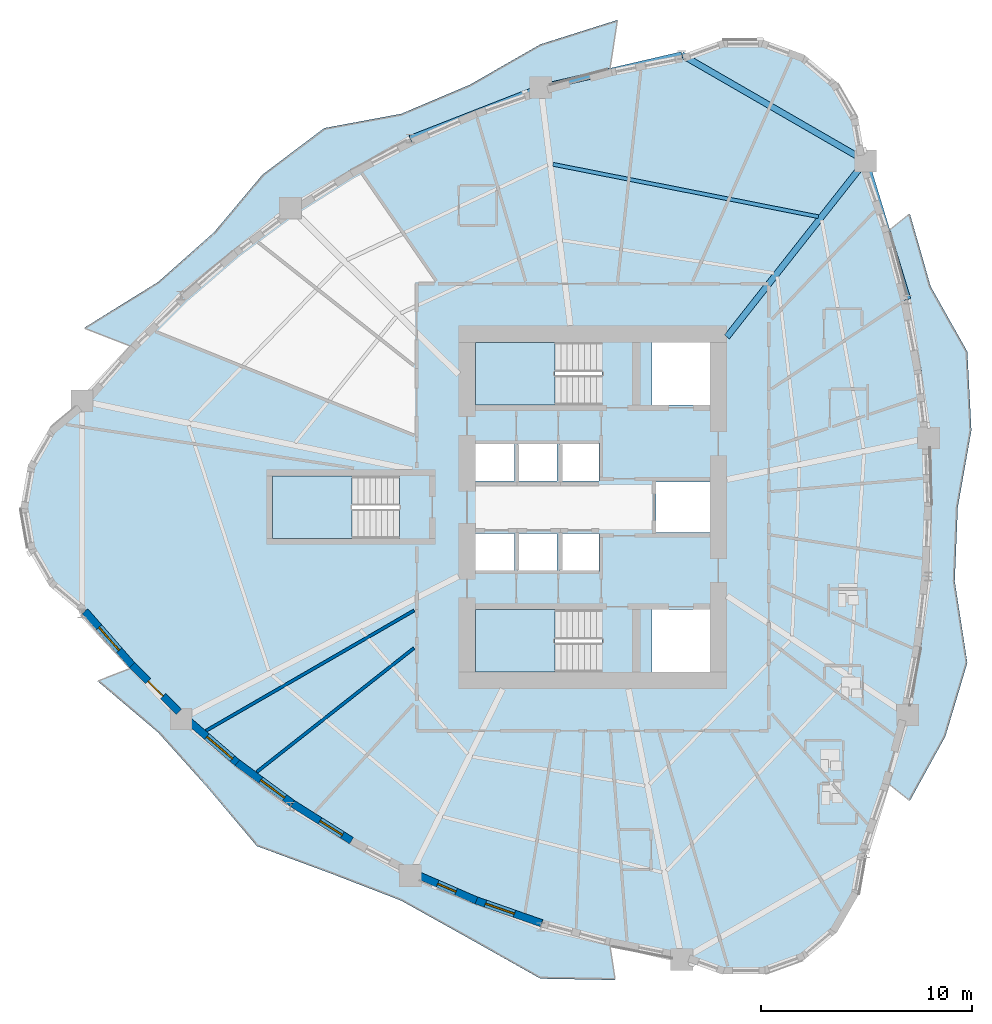
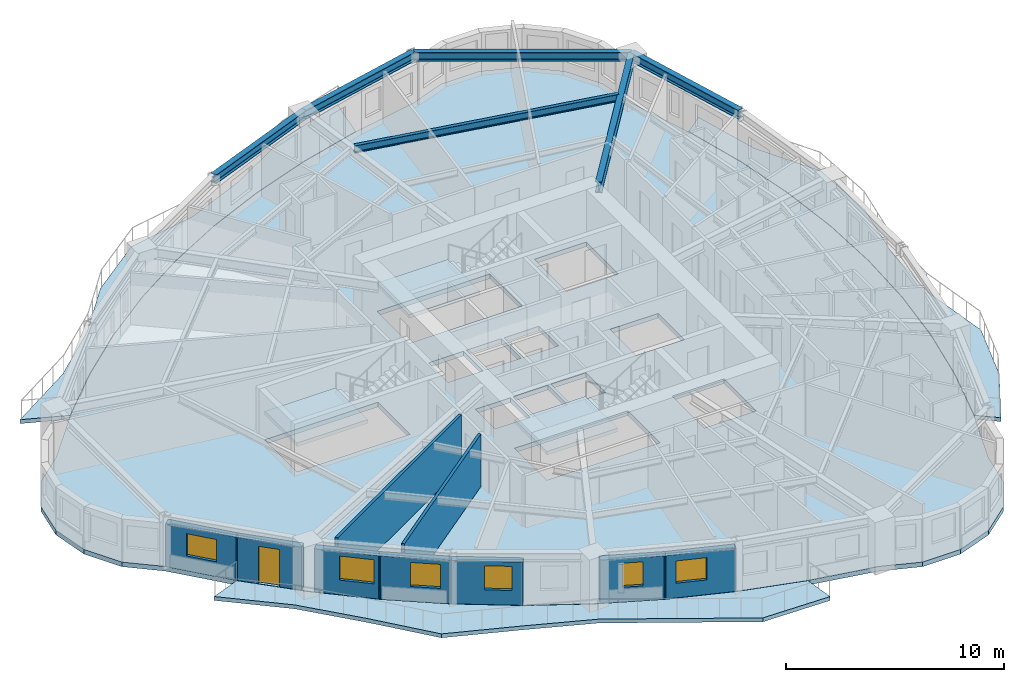
# One storey, part 2 of 13: 9 walls, 7 slabs, 6 beams, 6 windows, 1 door, 7 openings, 3 elements without a shape of their own.
"""IFC4 building model written with IfcOpenShell, lengths in metres."""

import ifcopenshell
import ifcopenshell.guid

model = None  # the IFC model being written
_history = None  # IfcOwnerHistory: only IFC2X3 demands one
_inside = {}  # id of a spatial element -> (the spatial element, [elements in it])
_under = {}  # id of a project, library or spatial element -> (it, [spatial elements below it])
_declared = {}  # id of a project -> (the project, [libraries it declares])
_typed = {}  # id of a type object -> (the type object, [elements of that type])
_made_of = {}  # id of a material, layer set ... -> (it, [elements and type objects made of it])


def new_model(schema):
    """Start an empty IFC model of exactly this schema.

    Asked for "IFC4X3", IfcOpenShell would pick the latest addendum, in which some entities
    have other attributes; the version numbers below select the first issue.
    IFC2X3 requires an IfcOwnerHistory on every rooted entity: one is made here for all.
    """
    global model, _history
    if schema == "IFC4X3":
        model = ifcopenshell.file(schema_version=(4, 3, 0, 0))
    else:
        model = ifcopenshell.file(schema=schema)
    _inside.clear()
    _under.clear()
    _declared.clear()
    _typed.clear()
    _made_of.clear()
    _history = None
    if model.schema == "IFC2X3":
        org = make("IfcOrganization", Name="unknown")
        user = make(
            "IfcPersonAndOrganization",
            ThePerson=make("IfcPerson", FamilyName="unknown"),
            TheOrganization=org,
        )
        app = make(
            "IfcApplication",
            ApplicationDeveloper=org,
            Version="unknown",
            ApplicationFullName="unknown",
            ApplicationIdentifier="unknown",
        )
        _history = make(
            "IfcOwnerHistory",
            OwningUser=user,
            OwningApplication=app,
            ChangeAction="ADDED",
            CreationDate=0,
        )
    return model


def make(cls, **values):
    """One entity of the class cls with the attributes given. An attribute that is None is left unset."""
    return model.create_entity(
        cls, **{name: value for name, value in values.items() if value is not None}
    )


def rooted(cls, **values):
    """An entity with a GlobalId (a new one), such as an element, a storey or a relation."""
    return make(cls, GlobalId=ifcopenshell.guid.new(), OwnerHistory=_history, **values)


def si_unit(unit_type, name, prefix=None):
    """IfcSIUnit, for example si_unit("LENGTHUNIT", "METRE", prefix="MILLI")."""
    return make("IfcSIUnit", UnitType=unit_type, Prefix=prefix, Name=name)


def assignment(units):
    """IfcUnitAssignment: the units of a project."""
    return None if units is None else make("IfcUnitAssignment", Units=units)


def point(xyz):
    """IfcCartesianPoint."""
    return None if xyz is None else make("IfcCartesianPoint", Coordinates=xyz)


def direction(xyz):
    """IfcDirection."""
    return None if xyz is None else make("IfcDirection", DirectionRatios=xyz)


def frame(location, z_axis=None, x_axis=None):
    """IfcAxis2Placement3D, a coordinate frame: its origin and axes. An axis left out is left unset."""
    return make(
        "IfcAxis2Placement3D",
        Location=point(location),
        Axis=direction(z_axis),
        RefDirection=direction(x_axis),
    )


def frame_2d(location, x_axis=None):
    """IfcAxis2Placement2D, a coordinate frame in the plane: its origin and x axis."""
    return make(
        "IfcAxis2Placement2D", Location=point(location), RefDirection=direction(x_axis)
    )


def origin():
    """The frame at (0, 0, 0) with its axes left unset."""
    return frame((0.0, 0.0, 0.0))


def origin_2d():
    """The frame at (0, 0) in the plane with its x axis left unset."""
    return frame_2d((0.0, 0.0))


def place(relative_to, where):
    """IfcLocalPlacement: puts the frame where relative to a parent placement (None: the world)."""
    return make(
        "IfcLocalPlacement", PlacementRelTo=relative_to, RelativePlacement=where
    )


def context(
    kind, dimensions, precision=None, world=None, true_north=None, identifier=None
):
    """IfcGeometricRepresentationContext, for example the 3D "Model" context."""
    return make(
        "IfcGeometricRepresentationContext",
        ContextIdentifier=identifier,
        ContextType=kind,
        CoordinateSpaceDimension=dimensions,
        Precision=precision,
        WorldCoordinateSystem=world,
        TrueNorth=true_north,
    )


def subcontext(parent, identifier, kind, view, scale=None):
    """IfcGeometricRepresentationSubContext, for example "Body" below "Model"."""
    return make(
        "IfcGeometricRepresentationSubContext",
        ContextIdentifier=identifier,
        ContextType=kind,
        ParentContext=parent,
        TargetScale=scale,
        TargetView=view,
    )


def project(units=None, contexts=None):
    """IfcProject with its units and contexts."""
    return rooted(
        "IfcProject",
        Name="project",
        RepresentationContexts=contexts,
        UnitsInContext=assignment(units),
    )


def spatial(cls, under=None, at=None, **own):
    """A site, building, storey or space (cls), placed at a placement, below another one or the project."""
    s = rooted(cls, ObjectPlacement=at, **own)
    if under is not None:
        _under.setdefault(under.id(), (under, []))[1].append(s)
    return s


def polyline(points):
    """IfcPolyline through the points."""
    return make("IfcPolyline", Points=[point(p) for p in points])


def profile(cls, at=None, kind="AREA", **sizes):
    """A parametric profile (cls). Its sizes go by their IFC names, for example OverallWidth=200.0."""
    return make(cls, ProfileType=kind, Position=at, **sizes)


def rectangle(**sizes):
    """IfcRectangleProfileDef."""
    return profile("IfcRectangleProfileDef", **sizes)


def i_section(**sizes):
    """IfcIShapeProfileDef."""
    return profile("IfcIShapeProfileDef", **sizes)


def outline(outer, holes=None, kind="AREA"):
    """IfcArbitraryClosedProfileDef: a profile drawn as a closed curve; with holes, ...WithVoids."""
    if holes is None:
        return make("IfcArbitraryClosedProfileDef", ProfileType=kind, OuterCurve=outer)
    return make(
        "IfcArbitraryProfileDefWithVoids",
        ProfileType=kind,
        OuterCurve=outer,
        InnerCurves=holes,
    )


def extrude(swept, where, along, depth):
    """IfcExtrudedAreaSolid: the profile swept, set in the frame where, extruded along a direction by depth."""
    return make(
        "IfcExtrudedAreaSolid",
        SweptArea=swept,
        Position=where,
        ExtrudedDirection=direction(along),
        Depth=depth,
    )


def shape(context_of_items, identifier, shape_type, items):
    """IfcShapeRepresentation: the items that make up one representation, for example the "Body"."""
    return make(
        "IfcShapeRepresentation",
        ContextOfItems=context_of_items,
        RepresentationIdentifier=identifier,
        RepresentationType=shape_type,
        Items=items,
    )


def source(mapping_origin, context_of_items, identifier, shape_type, items):
    """IfcRepresentationMap: a shape defined once, which mapped items show again and again."""
    return make(
        "IfcRepresentationMap",
        MappingOrigin=mapping_origin,
        MappedRepresentation=shape(context_of_items, identifier, shape_type, items),
    )


def transform(
    local_origin,
    x_axis=None,
    y_axis=None,
    z_axis=None,
    scale=None,
    scale2=None,
    scale3=None,
    uniform=True,
):
    """IfcCartesianTransformationOperator3D, or its non-uniform kind. x_axis, y_axis, z_axis: its Axis1, 2, 3."""
    if uniform:
        return make(
            "IfcCartesianTransformationOperator3D",
            Axis1=direction(x_axis),
            Axis2=direction(y_axis),
            LocalOrigin=point(local_origin),
            Scale=scale,
            Axis3=direction(z_axis),
        )
    return make(
        "IfcCartesianTransformationOperator3DnonUniform",
        Axis1=direction(x_axis),
        Axis2=direction(y_axis),
        LocalOrigin=point(local_origin),
        Scale=scale,
        Axis3=direction(z_axis),
        Scale2=scale2,
        Scale3=scale3,
    )


def mapped(mapping_source, mapping_target):
    """IfcMappedItem: shows the shape of a source again, moved by a transform."""
    return make(
        "IfcMappedItem", MappingSource=mapping_source, MappingTarget=mapping_target
    )


def material(Name=None, Category=None):
    """IfcMaterial."""
    return make("IfcMaterial", Name=Name, Category=Category)


def layer(
    of_material, thickness, ventilated=None, Name=None, Category=None, Priority=None
):
    """IfcMaterialLayer: one layer of a wall or slab, of a material (None: an air gap)."""
    return make(
        "IfcMaterialLayer",
        Material=of_material,
        LayerThickness=thickness,
        IsVentilated=ventilated,
        Name=Name,
        Category=Category,
        Priority=Priority,
    )


def layer_set(layers, Name=None):
    """IfcMaterialLayerSet."""
    return make("IfcMaterialLayerSet", MaterialLayers=layers, LayerSetName=Name)


def material_profile(
    of_material, cross_section, Name=None, Category=None, Priority=None
):
    """IfcMaterialProfile: a cross section and its material."""
    return make(
        "IfcMaterialProfile",
        Name=Name,
        Material=of_material,
        Profile=cross_section,
        Priority=Priority,
        Category=Category,
    )


def profile_set(profiles, Name=None, composite=None):
    """IfcMaterialProfileSet."""
    return make(
        "IfcMaterialProfileSet",
        Name=Name,
        MaterialProfiles=profiles,
        CompositeProfile=composite,
    )


def made_of(thing, what):
    """Note that an element or type object is made of a material, layer set ...; save() writes the relation."""
    if what is not None:
        _made_of.setdefault(what.id(), (what, []))[1].append(thing)
    return thing


def type_object(cls, material=None, **own):
    """A type object (cls), such as IfcWallType, which elements share."""
    return made_of(rooted(cls, **own), material)


def element(
    cls,
    number,
    at=None,
    inside=None,
    cuts=None,
    type_object=None,
    material=None,
    context=None,
    identifier="Body",
    shape_type=None,
    held_by="IfcProductDefinitionShape",
    body=None,
    shapes=None,
    **own,
):
    """One element of the class cls, such as IfcWall. Its Tag is "e" and its number.

    at: its placement. inside: the storey or other place that contains it. cuts: it is an
    opening in that element (IfcRelVoidsElement). A single representation is given by context,
    identifier, shape_type and body (its items); several are given by shapes. held_by: the class
    of the entity that holds the representations. save() writes the other relations.
    """
    e = rooted(cls, Tag="e%d" % number, ObjectPlacement=at, **own)
    if body is not None:
        shapes = [shape(context, identifier, shape_type, body)]
    if shapes is not None:
        e.Representation = make(held_by, Representations=shapes)
    if inside is not None:
        _inside.setdefault(inside.id(), (inside, []))[1].append(e)
    if cuts is not None:
        rooted(
            "IfcRelVoidsElement", RelatingBuildingElement=cuts, RelatedOpeningElement=e
        )
    if type_object is not None:
        _typed.setdefault(type_object.id(), (type_object, []))[1].append(e)
    return made_of(e, material)


def fill(opening, filler):
    """IfcRelFillsElement: the door or window that sits in an opening."""
    return rooted(
        "IfcRelFillsElement",
        RelatingOpeningElement=opening,
        RelatedBuildingElement=filler,
    )


def aggregate(whole, parts):
    """IfcRelAggregates: a whole, such as a stair, and the parts it consists of."""
    return rooted("IfcRelAggregates", RelatingObject=whole, RelatedObjects=parts)


def save(model, path):
    """Write the relations noted so far, then the file.

    IfcRelAggregates (storeys below a building ...), IfcRelContainedInSpatialStructure (elements
    in a storey), IfcRelDefinesByType, IfcRelAssociatesMaterial and IfcRelDeclares: one each for
    every whole, place, type object, material and project.
    """
    for whole, parts in _under.values():
        aggregate(whole, parts)
    for where, things in _inside.values():
        rooted(
            "IfcRelContainedInSpatialStructure",
            RelatedElements=things,
            RelatingStructure=where,
        )
    for kind, things in _typed.values():
        rooted("IfcRelDefinesByType", RelatedObjects=things, RelatingType=kind)
    for what, things in _made_of.values():
        rooted("IfcRelAssociatesMaterial", RelatedObjects=things, RelatingMaterial=what)
    for by, libraries in _declared.values():
        rooted("IfcRelDeclares", RelatingContext=by, RelatedDefinitions=libraries)
    model.write(path)


model = new_model("IFC4")

# Units and contexts
model_context = context("Model", 3, precision=1e-05, world=origin(), true_north=direction((0.0, 1.0)))
body_context = subcontext(model_context, "Body", "Model", "MODEL_VIEW")
ifc_project = project(units=[si_unit("LENGTHUNIT", "METRE"), si_unit("AREAUNIT", "SQUARE_METRE"), si_unit("VOLUMEUNIT", "CUBIC_METRE"), si_unit("PLANEANGLEUNIT", "RADIAN"), si_unit("MASSUNIT", "GRAM", prefix="KILO")], contexts=[model_context])

# Site, building, storey
site_placement = place(None, origin())
site = spatial("IfcSite", under=ifc_project, at=site_placement, CompositionType="ELEMENT")
building_placement = place(site_placement, origin())
building = spatial("IfcBuilding", under=site, at=building_placement, Name="Qafzar Sky-Pleat Residences", CompositionType="ELEMENT")
storey_placement = place(building_placement, frame((0.0, 0.0, 59.0)))
storey = spatial("IfcBuildingStorey", under=building, at=storey_placement, Name="L17", CompositionType="ELEMENT", Elevation=59.0)

# Beams
ifc_material_1 = material(Name="Steel S355", Category="steel")
ifc_material_profile_1 = material_profile(ifc_material_1, i_section(OverallWidth=0.300048828125, OverallDepth=0.5, WebThickness=0.014404296875, FlangeThickness=0.028076171875, FilletRadius=0.027099609375, at=origin_2d()), Name="HEB 500")
ifc_profile_set_1 = profile_set([ifc_material_profile_1], Name="Steel S355")
beam_type_1 = type_object("IfcBeamType", Name="BM-SPAN-HEB500", PredefinedType="SPANDREL", material=ifc_profile_set_1)
shared_shape_1 = source(origin(), body_context, "Body", "SweptSolid", [
    extrude(i_section(OverallWidth=0.300048828125, OverallDepth=0.5, WebThickness=0.014404296875, FlangeThickness=0.028076171875, FilletRadius=0.027099609375, at=origin_2d()), origin(), (0.0, 0.0, 1.0), 10.0458984375),
])
beam_1_placement = place(storey_placement, frame((43.262451171875, 42.389404296875, 2.68798828125), z_axis=(-0.866013584312, 0.500020471368, 0.0), x_axis=(-0.500020471368, -0.866013584312, 0.0)))
element("IfcBeam", 1, at=beam_1_placement, inside=storey, type_object=beam_type_1, Name="L17 Perimeter Spandrel Beam 13", PredefinedType="SPANDREL", context=body_context, shape_type="MappedRepresentation", body=[
    mapped(shared_shape_1, transform((0.0, 0.0, 0.0), x_axis=(1.0, 0.0, 0.0), y_axis=(0.0, 1.0, 0.0), z_axis=(0.0, 0.0, 1.0), scale=1.0)),
])
shared_shape_2 = source(origin(), body_context, "Body", "SweptSolid", [
    extrude(i_section(OverallWidth=0.300048828125, OverallDepth=0.5, WebThickness=0.014404296875, FlangeThickness=0.028076171875, FilletRadius=0.027099609375, at=origin_2d()), origin(), (0.0, 0.0, 1.0), 6.85205078125),
])
for number, where, z_axis, x_axis, name in (
    (2, (45.255615234375, 35.833740234375, 2.68798828125), (-0.290889380192, 0.95675669242, 0.0), (-0.95675669242, -0.290889380192, 0.0), "L17 Perimeter Spandrel Beam 12"),
    (3, (34.5625, 47.41259765625, 2.68798828125), (-0.974011500326, -0.226498559007, 0.0), (0.226498559007, -0.974011500326, 0.0), "L17 Perimeter Spandrel Beam 14"),
):
    element("IfcBeam", number, at=place(storey_placement, frame(where, z_axis=z_axis, x_axis=x_axis)), inside=storey, type_object=beam_type_1, Name=name, PredefinedType="SPANDREL", context=body_context, shape_type="MappedRepresentation", body=[
        mapped(shared_shape_2, transform((0.0, 0.0, 0.0), x_axis=(1.0, 0.0, 0.0), y_axis=(0.0, 1.0, 0.0), z_axis=(0.0, 0.0, 1.0), scale=1.0)),
    ])
shared_shape_3 = source(origin(), body_context, "Body", "SweptSolid", [
    extrude(i_section(OverallWidth=0.300048828125, OverallDepth=0.5, WebThickness=0.014404296875, FlangeThickness=0.028076171875, FilletRadius=0.027099609375, at=origin_2d()), origin(), (0.0, 0.0, 1.0), 6.630859375),
])
beam_2_placement = place(storey_placement, frame((27.888427734375, 45.860595703125, 2.68798828125), z_axis=(-0.931318267356, -0.364206376782, 0.0), x_axis=(0.364206376782, -0.931318267356, 0.0)))
element("IfcBeam", 4, at=beam_2_placement, inside=storey, type_object=beam_type_1, Name="L17 Perimeter Spandrel Beam 15", PredefinedType="SPANDREL", context=body_context, shape_type="MappedRepresentation", body=[
    mapped(shared_shape_3, transform((0.0, 0.0, 0.0), x_axis=(1.0, 0.0, 0.0), y_axis=(0.0, 1.0, 0.0), z_axis=(0.0, 0.0, 1.0), scale=1.0)),
])
ifc_material_profile_2 = material_profile(ifc_material_1, i_section(OverallWidth=0.300048828125, OverallDepth=0.60009765625, WebThickness=0.015380859375, FlangeThickness=0.030029296875, FilletRadius=0.027099609375, at=origin_2d()), Name="HEB 600")
ifc_profile_set_2 = profile_set([ifc_material_profile_2], Name="Steel S355")
beam_type_2 = type_object("IfcBeamType", Name="BM-GIRD-HEB600", PredefinedType="BEAM", material=ifc_profile_set_2)
shared_shape_4 = source(origin(), body_context, "Body", "SweptSolid", [
    extrude(i_section(OverallWidth=0.300048828125, OverallDepth=0.60009765625, WebThickness=0.015380859375, FlangeThickness=0.030029296875, FilletRadius=0.027099609375, at=origin_2d()), origin(), (0.0, 0.0, 1.0), 10.604248046875),
])
beam_3_placement = place(storey_placement, frame((43.262451171875, 42.389404296875, 2.637939453125), z_axis=(-0.618860173659, -0.785501168337, 0.0), x_axis=(0.785501168337, -0.618860173659, 0.0)))
element("IfcBeam", 5, at=beam_3_placement, inside=storey, type_object=beam_type_2, Name="L17 Radial Floor Girder 13", PredefinedType="BEAM", context=body_context, shape_type="MappedRepresentation", body=[
    mapped(shared_shape_4, transform((0.0, 0.0, 0.0), x_axis=(1.0, 0.0, 0.0), y_axis=(0.0, 1.0, 0.0), z_axis=(0.0, 0.0, 1.0), scale=1.0)),
])
ifc_material_profile_3 = material_profile(ifc_material_1, i_section(OverallWidth=0.179931640625, OverallDepth=0.39990234375, WebThickness=0.008544921875, FlangeThickness=0.013427734375, FilletRadius=0.02099609375, at=origin_2d()), Name="IPE 400")
ifc_profile_set_3 = profile_set([ifc_material_profile_3], Name="Steel S355")
beam_type_3 = type_object("IfcBeamType", Name="BM-JST-IPE400", PredefinedType="JOIST", material=ifc_profile_set_3)
shared_shape_5 = source(origin(), body_context, "Body", "SweptSolid", [
    extrude(i_section(OverallWidth=0.179931640625, OverallDepth=0.39990234375, WebThickness=0.008544921875, FlangeThickness=0.013427734375, FilletRadius=0.02099609375, at=origin_2d()), origin(), (0.0, 0.0, 1.0), 12.80517578125),
])
beam_4_placement = place(storey_placement, frame((41.030029296875, 39.750244140625, 2.738037109375), z_axis=(-0.981055151517, 0.193728649615, 0.0), x_axis=(-0.193728649615, -0.981055151517, 0.0)))
element("IfcBeam", 6, at=beam_4_placement, inside=storey, type_object=beam_type_3, Name="L17 Outer Secondary Floor Joist 7", PredefinedType="JOIST", context=body_context, shape_type="MappedRepresentation", body=[
    mapped(shared_shape_5, transform((0.0, 0.0, 0.0), x_axis=(1.0, 0.0, 0.0), y_axis=(0.0, 1.0, 0.0), z_axis=(0.0, 0.0, 1.0), scale=1.0)),
])

# Slabs
ifc_material_2 = material(Name="Concrete C40/50", Category="concrete")
ifc_layer_1 = layer(ifc_material_2, 0.219970703125)
ifc_layer_set_1 = layer_set([ifc_layer_1], Name="Concrete C40/50")
slab_type_1 = type_object("IfcSlabType", Name="SLAB-BAL-220", PredefinedType="USERDEFINED", material=ifc_layer_set_1)
slab_1_placement = place(storey_placement, frame((0.0, 0.0, -0.219970703125)))
element("IfcSlab", 7, at=slab_1_placement, inside=storey, type_object=slab_type_1, Name="L17 Pleated Stone Balcony 1", ObjectType="BALCONY", PredefinedType="USERDEFINED", context=body_context, shape_type="SweptSolid", body=[
    extrude(outline(polyline([(45.265869140625, 16.160400390625), (45.8896484375, 19.440185546875), (46.263916015625, 22.719970703125), (46.388427734375, 26.0), (46.263916015625, 29.280029296875), (45.8896484375, 32.559814453125), (45.265869140625, 35.839599609375), (44.392822265625, 39.119140625), (45.359375, 39.892578125), (46.341552734375, 36.45263671875), (48.077880859375, 33.3623046875), (48.269775390625, 29.640380859375), (47.62646484375, 26.0), (47.482421875, 22.501220703125), (48.077880859375, 18.6376953125), (47.03662109375, 15.1513671875), (45.359375, 12.107421875), (44.392822265625, 12.880859375), (45.265869140625, 16.160400390625)])), origin(), (0.0, 0.0, 1.0), 0.219970703125),
])
slab_2_placement = place(storey_placement, frame((0.0, 0.0, -0.219970703125)))
element("IfcSlab", 8, at=slab_2_placement, inside=storey, type_object=slab_type_1, Name="L17 Pleated Stone Balcony 2", ObjectType="BALCONY", PredefinedType="USERDEFINED", context=body_context, shape_type="SweptSolid", body=[
    extrude(outline(polyline([(27.888427734375, 45.87255859375), (24.736328125, 44.772705078125), (21.708740234375, 43.456787109375), (18.8056640625, 41.9248046875), (16.027587890625, 40.177001953125), (13.374267578125, 38.212890625), (10.845703125, 36.032958984375), (8.44189453125, 33.63720703125), (6.27099609375, 34.485107421875), (9.777099609375, 36.657958984375), (12.423828125, 39.00634765625), (14.712646484375, 41.73388671875), (17.640380859375, 43.943359375), (21.2890625, 44.62158203125), (24.5244140625, 45.992431640625), (27.876953125, 47.910400390625), (31.516357421875, 49.060302734375), (31.1650390625, 46.75634765625), (27.888427734375, 45.87255859375)])), origin(), (0.0, 0.0, 1.0), 0.219970703125),
])
slab_3_placement = place(storey_placement, frame((0.0, 0.0, -0.219970703125)))
element("IfcSlab", 9, at=slab_3_placement, inside=storey, type_object=slab_type_1, Name="L17 Pleated Stone Balcony 3", ObjectType="BALCONY", PredefinedType="USERDEFINED", context=body_context, shape_type="SweptSolid", body=[
    extrude(outline(polyline([(10.845703125, 15.967041015625), (13.374267578125, 13.787109375), (16.027587890625, 11.822998046875), (18.8056640625, 10.0751953125), (21.708740234375, 8.543212890625), (24.736328125, 7.227294921875), (27.888427734375, 6.12744140625), (31.1650390625, 5.24365234375), (31.411865234375, 3.62451171875), (27.874755859375, 3.689453125), (24.455810546875, 5.613525390625), (21.2890625, 7.37841796875), (17.98681640625, 8.656494140625), (14.45458984375, 9.96044921875), (12.116943359375, 12.7373046875), (9.777099609375, 15.342041015625), (6.916259765625, 17.76708984375), (8.44189453125, 18.36279296875), (10.845703125, 15.967041015625)])), origin(), (0.0, 0.0, 1.0), 0.219970703125),
])
ifc_layer_2 = layer(ifc_material_2, 0.260009765625)
ifc_layer_set_2 = layer_set([ifc_layer_2], Name="Concrete C40/50")
slab_type_2 = type_object("IfcSlabType", Name="SLAB-FLR-260", PredefinedType="FLOOR", material=ifc_layer_set_2)
slab_4_placement = place(storey_placement, frame((0.0, 0.0, -0.260009765625)))
element("IfcSlab", 10, at=slab_4_placement, inside=storey, type_object=slab_type_2, Name="L17 Structural Floor Slab", PredefinedType="FLOOR", context=body_context, shape_type="SweptSolid", body=[
    extrude(outline(polyline([(6.175048828125, 31.02294921875), (4.6318359375, 29.728271484375), (3.624755859375, 27.983642578125), (3.27490234375, 26.0), (3.624755859375, 24.016357421875), (4.6318359375, 22.271728515625), (6.175048828125, 20.97705078125), (8.453125, 18.3671875), (10.85595703125, 15.97314453125), (13.38330078125, 13.794921875), (16.035400390625, 11.832275390625), (18.811767578125, 10.08544921875), (21.712890625, 8.554443359375), (24.73828125, 7.239013671875), (27.888427734375, 6.139404296875), (31.1630859375, 5.255615234375), (34.5625, 4.58740234375), (36.455322265625, 3.898681640625), (38.4697265625, 3.898681640625), (40.362548828125, 4.58740234375), (41.905517578125, 5.88232421875), (42.91259765625, 7.626708984375), (43.262451171875, 9.610595703125), (44.383544921875, 12.888427734375), (45.255615234375, 16.166259765625), (45.87841796875, 19.444091796875), (46.251953125, 22.72216796875), (46.37646484375, 26.0), (46.251953125, 29.27783203125), (45.87841796875, 32.555908203125), (45.255615234375, 35.833740234375), (44.383544921875, 39.111572265625), (43.262451171875, 42.389404296875), (42.91259765625, 44.373291015625), (41.905517578125, 46.11767578125), (40.362548828125, 47.41259765625), (38.4697265625, 48.101318359375), (36.455322265625, 48.101318359375), (34.5625, 47.41259765625), (31.1630859375, 46.744384765625), (27.888427734375, 45.860595703125), (24.73828125, 44.760986328125), (21.712890625, 43.445556640625), (18.811767578125, 41.91455078125), (16.035400390625, 40.167724609375), (13.38330078125, 38.205078125), (10.85595703125, 36.02685546875), (8.453125, 33.6328125), (6.175048828125, 31.02294921875)]), holes=[polyline([(30.797119140625, 21.14990234375), (24.800048828125, 21.14990234375), (24.800048828125, 18.199951171875), (30.797119140625, 18.199951171875), (30.797119140625, 21.14990234375)]), polyline([(30.797119140625, 33.800048828125), (24.800048828125, 33.800048828125), (24.800048828125, 30.85009765625), (30.797119140625, 30.85009765625), (30.797119140625, 33.800048828125)]), polyline([(21.197021484375, 27.47509765625), (15.199951171875, 27.47509765625), (15.199951171875, 24.52490234375), (21.197021484375, 24.52490234375), (21.197021484375, 27.47509765625)]), polyline([(24.800048828125, 22.949951171875), (26.64990234375, 22.949951171875), (26.64990234375, 24.75), (24.800048828125, 24.75), (24.800048828125, 22.949951171875)]), polyline([(26.800048828125, 22.949951171875), (28.64990234375, 22.949951171875), (28.64990234375, 24.75), (26.800048828125, 24.75), (26.800048828125, 22.949951171875)]), polyline([(28.800048828125, 22.949951171875), (30.64990234375, 22.949951171875), (30.64990234375, 24.75), (28.800048828125, 24.75), (28.800048828125, 22.949951171875)]), polyline([(24.800048828125, 27.25), (26.64990234375, 27.25), (26.64990234375, 29.050048828125), (24.800048828125, 29.050048828125), (24.800048828125, 27.25)]), polyline([(26.800048828125, 27.25), (28.64990234375, 27.25), (28.64990234375, 29.050048828125), (26.800048828125, 29.050048828125), (26.800048828125, 27.25)]), polyline([(28.800048828125, 27.25), (30.64990234375, 27.25), (30.64990234375, 29.050048828125), (28.800048828125, 29.050048828125), (28.800048828125, 27.25)]), polyline([(33.14990234375, 18.199951171875), (35.89990234375, 18.199951171875), (35.89990234375, 21.14990234375), (33.14990234375, 21.14990234375), (33.14990234375, 18.199951171875)]), polyline([(33.14990234375, 30.85009765625), (35.89990234375, 30.85009765625), (35.89990234375, 33.800048828125), (33.14990234375, 33.800048828125), (33.14990234375, 30.85009765625)]), polyline([(33.35009765625, 24.800048828125), (35.89990234375, 24.800048828125), (35.89990234375, 27.199951171875), (33.35009765625, 27.199951171875), (33.35009765625, 24.800048828125)])]), origin(), (0.0, 0.0, 1.0), 0.260009765625),
])

# Stair, slab
stair_type = type_object("IfcStairType", Name="STAIR-H320", PredefinedType="HALF_TURN_STAIR", material=ifc_material_2)
stair_1_placement = place(storey_placement, origin())
stair_1 = element("IfcStair", 11, at=stair_1_placement, inside=storey, type_object=stair_type, Name="L17 Protected Exit Stair ST1", PredefinedType="HALF_TURN_STAIR")
ifc_layer_3 = layer(ifc_material_2, 0.199951171875)
ifc_layer_set_3 = layer_set([ifc_layer_3], Name="Concrete C40/50")
slab_type_3 = type_object("IfcSlabType", Name="SLAB-LANDING-200", PredefinedType="LANDING", material=ifc_layer_set_3)
slab_5_placement = place(storey_placement, frame((0.0, 0.0, 1.39990234375)))
slab_5 = element("IfcSlab", 12, at=slab_5_placement, type_object=slab_type_3, Name="ST1 landing 1", PredefinedType="LANDING", context=body_context, shape_type="SweptSolid", body=[
    extrude(outline(polyline([(28.56005859375, 21.14990234375), (24.800048828125, 21.14990234375), (24.800048828125, 18.199951171875), (28.56005859375, 18.199951171875), (28.56005859375, 21.14990234375)])), origin(), (0.0, 0.0, 1.0), 0.2001953125),
])
aggregate(stair_1, [slab_5])

stair_2_placement = place(storey_placement, origin())
stair_2 = element("IfcStair", 13, at=stair_2_placement, inside=storey, type_object=stair_type, Name="L17 Protected Exit Stair ST2", PredefinedType="HALF_TURN_STAIR")
slab_6_placement = place(storey_placement, frame((0.0, 0.0, 1.39990234375)))
slab_6 = element("IfcSlab", 14, at=slab_6_placement, type_object=slab_type_3, Name="ST2 landing 1", PredefinedType="LANDING", context=body_context, shape_type="SweptSolid", body=[
    extrude(outline(polyline([(28.56005859375, 33.800048828125), (24.800048828125, 33.800048828125), (24.800048828125, 30.85009765625), (28.56005859375, 30.85009765625), (28.56005859375, 33.800048828125)])), origin(), (0.0, 0.0, 1.0), 0.2001953125),
])
aggregate(stair_2, [slab_6])

stair_3_placement = place(storey_placement, origin())
stair_3 = element("IfcStair", 15, at=stair_3_placement, inside=storey, type_object=stair_type, Name="L17 Protected Exit Stair ST3", PredefinedType="HALF_TURN_STAIR")
slab_7_placement = place(storey_placement, frame((0.0, 0.0, 1.39990234375)))
slab_7 = element("IfcSlab", 16, at=slab_7_placement, type_object=slab_type_3, Name="ST3 landing 1", PredefinedType="LANDING", context=body_context, shape_type="SweptSolid", body=[
    extrude(outline(polyline([(18.9599609375, 27.47509765625), (15.199951171875, 27.47509765625), (15.199951171875, 24.52490234375), (18.9599609375, 24.52490234375), (18.9599609375, 27.47509765625)])), origin(), (0.0, 0.0, 1.0), 0.2001953125),
])
aggregate(stair_3, [slab_7])

# Walls
ifc_material_3 = material(Name="Acoustic gypsum plasterboard partition", Category="gypsum")
ifc_layer_4 = layer(ifc_material_3, 0.14501953125)
ifc_layer_set_4 = layer_set([ifc_layer_4], Name="Acoustic gypsum plasterboard partition")
wall_type_1 = type_object("IfcWallType", Name="PART-UNIT-145", PredefinedType="PARTITIONING", material=ifc_layer_set_4)
wall_1_placement = place(storey_placement, frame((12.048583984375, 15.42236328125, 0.0), z_axis=(0.0, 0.0, 1.0), x_axis=(0.865775806306, 0.500432066534, 0.0)))
element("IfcWall", 17, at=wall_1_placement, inside=storey, type_object=wall_type_1, Name="L17 Partition Wall PART-L17-PW-036", PredefinedType="PARTITIONING", context=body_context, shape_type="SweptSolid", body=[
    extrude(rectangle(XDim=11.375, YDim=0.14501953125, at=frame_2d((5.6875, 0.0))), origin(), (0.0, 0.0, 1.0), 2.93994140625),
])
wall_2_placement = place(storey_placement, frame((14.4521484375, 13.472900390625, 0.0), z_axis=(0.0, 0.0, 1.0), x_axis=(0.785461283481, 0.618910794988, 0.0)))
element("IfcWall", 18, at=wall_2_placement, inside=storey, type_object=wall_type_1, Name="L17 Partition Wall PART-L17-PW-039", PredefinedType="PARTITIONING", context=body_context, shape_type="SweptSolid", body=[
    extrude(rectangle(XDim=9.468017578125, YDim=0.14501953125, at=frame_2d((4.73388671875, 0.0))), origin(), (0.0, 0.0, 1.0), 2.93994140625),
])

# Wall, opening, window
ifc_material_4 = material(Name="Precast concrete C40/50 with honed Riyadh limestone", Category="concrete")
ifc_layer_5 = layer(ifc_material_4, 0.35009765625)
ifc_layer_set_5 = layer_set([ifc_layer_5], Name="Precast concrete C40/50 with honed Riyadh limestone")
wall_type_2 = type_object("IfcWallType", Name="WALL-EXT-350", PredefinedType="SOLIDWALL", material=ifc_layer_set_5)
wall_3_placement = place(storey_placement, frame((6.320068359375, 21.0771484375, 0.0), z_axis=(0.0, 0.0, 1.0), x_axis=(0.657600811823, -0.753366559046, 0.0)))
wall_3 = element("IfcWall", 19, at=wall_3_placement, inside=storey, type_object=wall_type_2, Name="L17 Limestone Facade Wall 7", PredefinedType="SOLIDWALL", context=body_context, shape_type="SweptSolid", body=[
    extrude(rectangle(XDim=3.482421875, YDim=0.35009765625, at=frame_2d((1.7412109375, 0.0))), origin(), (0.0, 0.0, 1.0), 2.419921875),
])
opening_1_placement = place(wall_3_placement, frame((1.006103515625, 0.0, 0.820068359375)))
opening_1 = element("IfcOpeningElement", 20, at=opening_1_placement, cuts=wall_3, Name="Opening WN-15", PredefinedType="OPENING", context=body_context, shape_type="SweptSolid", body=[
    extrude(rectangle(XDim=1.449951171875, YDim=1.25, at=frame_2d((0.72509765625, 0.625))), frame((0.0, 0.18505859375, 0.0), z_axis=(0.0, -1.0, 0.0), x_axis=(1.0, 0.0, 0.0)), (0.0, 0.0, 1.0), 0.3701171875),
])
ifc_material_5 = material(Name="Solar-control low-E glass in bronze aluminium frame", Category="glass")
window_type_1 = type_object("IfcWindowType", Name="WIN-15", PartitioningType="SINGLE_PANEL", PredefinedType="WINDOW", material=ifc_material_5)
shared_shape_6 = source(origin(), body_context, "Body", "SweptSolid", [
    extrude(rectangle(XDim=1.449951171875, YDim=1.25, at=frame_2d((0.72509765625, 0.625))), frame((0.0, 0.030029296875, 0.0), z_axis=(0.0, -1.0, 0.0), x_axis=(1.0, 0.0, 0.0)), (0.0, 0.0, 1.0), 0.06005859375),
])
window_1_placement = place(opening_1_placement, origin())
window_1 = element("IfcWindow", 21, at=window_1_placement, inside=storey, type_object=window_type_1, Name="L17 Punched Facade Window 07", OverallHeight=1.25, OverallWidth=1.449951171875, PartitioningType="SINGLE_PANEL", PredefinedType="WINDOW", context=body_context, shape_type="MappedRepresentation", body=[
    mapped(shared_shape_6, transform((0.0, 0.0, 0.0), x_axis=(1.0, 0.0, 0.0), y_axis=(0.0, 1.0, 0.0), z_axis=(0.0, 0.0, 1.0), scale=1.0)),
])
fill(opening_1, window_1)

# Wall, opening, door
wall_4_placement = place(storey_placement, frame((8.5498046875, 18.51806640625, 0.0), z_axis=(0.0, 0.0, 1.0), x_axis=(0.708392603797, -0.705818616137, 0.0)))
wall_4 = element("IfcWall", 22, at=wall_4_placement, inside=storey, type_object=wall_type_2, Name="L17 Limestone Facade Wall 8", PredefinedType="SOLIDWALL", context=body_context, shape_type="SweptSolid", body=[
    extrude(rectangle(XDim=3.130126953125, YDim=0.35009765625, at=frame_2d((1.56494140625, 0.0))), origin(), (0.0, 0.0, 1.0), 2.419921875),
])
opening_2_placement = place(wall_4_placement, frame((1.06494140625, 0.0, 0.0)))
opening_2 = element("IfcOpeningElement", 23, at=opening_2_placement, cuts=wall_4, Name="Opening ED-05", PredefinedType="OPENING", context=body_context, shape_type="SweptSolid", body=[
    extrude(rectangle(XDim=1.0, YDim=2.10009765625, at=frame_2d((0.5, 1.050048828125))), frame((0.0, 0.18505859375, 0.0), z_axis=(0.0, -1.0, 0.0), x_axis=(1.0, 0.0, 0.0)), (0.0, 0.0, 1.0), 0.3701171875),
])
ifc_material_6 = material(Name="Glazed bronze aluminium door", Category="aluminium")
door_type = type_object("IfcDoorType", Name="DR-BAL-1000", OperationType="NOTDEFINED", PredefinedType="DOOR", material=ifc_material_6)
shared_shape_7 = source(origin(), body_context, "Body", "SweptSolid", [
    extrude(rectangle(XDim=1.0, YDim=2.10009765625, at=frame_2d((0.5, 1.050048828125))), frame((0.0, 0.02490234375, 0.0), z_axis=(0.0, -1.0, 0.0), x_axis=(1.0, 0.0, 0.0)), (0.0, 0.0, 1.0), 0.050048828125),
])
door_placement = place(opening_2_placement, origin())
door = element("IfcDoor", 24, at=door_placement, inside=storey, type_object=door_type, Name="L17 Glazed Balcony Door 3", OperationType="SINGLE_SWING_LEFT", OverallHeight=2.10009765625, OverallWidth=1.0, PredefinedType="DOOR", context=body_context, shape_type="MappedRepresentation", body=[
    mapped(shared_shape_7, transform((0.0, 0.0, 0.0), x_axis=(1.0, 0.0, 0.0), y_axis=(0.0, 1.0, 0.0), z_axis=(0.0, 0.0, 1.0), scale=1.0)),
])
fill(opening_2, door)

# Wall, opening, window
wall_5_placement = place(storey_placement, frame((11.197509765625, 15.909912109375, 0.0), z_axis=(0.0, 0.0, 1.0), x_axis=(0.757460062477, -0.652881500544, 0.0)))
wall_5 = element("IfcWall", 25, at=wall_5_placement, inside=storey, type_object=wall_type_2, Name="L17 Limestone Facade Wall 9", PredefinedType="SOLIDWALL", context=body_context, shape_type="SweptSolid", body=[
    extrude(rectangle(XDim=3.074462890625, YDim=0.35009765625, at=frame_2d((1.537109375, 0.0))), origin(), (0.0, 0.0, 1.0), 2.419921875),
])
opening_3_placement = place(wall_5_placement, frame((1.175048828125, 0.0, 0.820068359375)))
opening_3 = element("IfcOpeningElement", 26, at=opening_3_placement, cuts=wall_5, Name="Opening WN-09", PredefinedType="OPENING", context=body_context, shape_type="SweptSolid", body=[
    extrude(rectangle(XDim=1.60009765625, YDim=1.35009765625, at=frame_2d((0.800048828125, 0.675048828125))), frame((0.0, 0.18505859375, 0.0), z_axis=(0.0, -1.0, 0.0), x_axis=(1.0, 0.0, 0.0)), (0.0, 0.0, 1.0), 0.3701171875),
])
window_type_2 = type_object("IfcWindowType", Name="WIN-09", PartitioningType="DOUBLE_PANEL_VERTICAL", PredefinedType="WINDOW", material=ifc_material_5)
shared_shape_8 = source(origin(), body_context, "Body", "SweptSolid", [
    extrude(rectangle(XDim=1.60009765625, YDim=1.35009765625, at=frame_2d((0.800048828125, 0.675048828125))), frame((0.0, 0.030029296875, 0.0), z_axis=(0.0, -1.0, 0.0), x_axis=(1.0, 0.0, 0.0)), (0.0, 0.0, 1.0), 0.06005859375),
])
window_2_placement = place(opening_3_placement, origin())
window_2 = element("IfcWindow", 27, at=window_2_placement, inside=storey, type_object=window_type_2, Name="L17 Punched Facade Window 09-2", OverallHeight=1.35009765625, OverallWidth=1.60009765625, PartitioningType="SINGLE_PANEL", PredefinedType="WINDOW", context=body_context, shape_type="MappedRepresentation", body=[
    mapped(shared_shape_8, transform((0.0, 0.0, 0.0), x_axis=(1.0, 0.0, 0.0), y_axis=(0.0, 1.0, 0.0), z_axis=(0.0, 0.0, 1.0), scale=1.0)),
])
fill(opening_3, window_2)

wall_6_placement = place(storey_placement, frame((13.45703125, 13.958251953125, 0.0), z_axis=(0.0, 0.0, 1.0), x_axis=(0.803790514758, -0.594912437578, 0.0)))
wall_6 = element("IfcWall", 28, at=wall_6_placement, inside=storey, type_object=wall_type_2, Name="L17 Limestone Facade Wall 10", PredefinedType="SOLIDWALL", context=body_context, shape_type="SweptSolid", body=[
    extrude(rectangle(XDim=3.317138671875, YDim=0.35009765625, at=frame_2d((1.65869140625, 0.0))), origin(), (0.0, 0.0, 1.0), 2.419921875),
])
opening_4_placement = place(wall_6_placement, frame((1.468017578125, 0.0, 0.820068359375)))
opening_4 = element("IfcOpeningElement", 29, at=opening_4_placement, cuts=wall_6, Name="Opening WN-10", PredefinedType="OPENING", context=body_context, shape_type="SweptSolid", body=[
    extrude(rectangle(XDim=1.39990234375, YDim=1.35009765625, at=frame_2d((0.699951171875, 0.675048828125))), frame((0.0, 0.18505859375, 0.0), z_axis=(0.0, -1.0, 0.0), x_axis=(1.0, 0.0, 0.0)), (0.0, 0.0, 1.0), 0.3701171875),
])
window_type_3 = type_object("IfcWindowType", Name="WIN-10", PartitioningType="SINGLE_PANEL", PredefinedType="WINDOW", material=ifc_material_5)
shared_shape_9 = source(origin(), body_context, "Body", "SweptSolid", [
    extrude(rectangle(XDim=1.39990234375, YDim=1.35009765625, at=frame_2d((0.699951171875, 0.675048828125))), frame((0.0, 0.030029296875, 0.0), z_axis=(0.0, -1.0, 0.0), x_axis=(1.0, 0.0, 0.0)), (0.0, 0.0, 1.0), 0.06005859375),
])
window_3_placement = place(opening_4_placement, origin())
window_3 = element("IfcWindow", 30, at=window_3_placement, inside=storey, type_object=window_type_3, Name="L17 Punched Facade Window 10-2", OverallHeight=1.35009765625, OverallWidth=1.39990234375, PartitioningType="SINGLE_PANEL", PredefinedType="WINDOW", context=body_context, shape_type="MappedRepresentation", body=[
    mapped(shared_shape_9, transform((0.0, 0.0, 0.0), x_axis=(1.0, 0.0, 0.0), y_axis=(0.0, 1.0, 0.0), z_axis=(0.0, 0.0, 1.0), scale=1.0)),
])
fill(opening_4, window_3)

wall_7_placement = place(storey_placement, frame((16.1455078125, 11.9697265625, 0.0), z_axis=(0.0, 0.0, 1.0), x_axis=(0.846405860611, -0.532538373381, 0.0)))
wall_7 = element("IfcWall", 31, at=wall_7_placement, inside=storey, type_object=wall_type_2, Name="L17 Limestone Facade Wall 11", PredefinedType="SOLIDWALL", context=body_context, shape_type="SweptSolid", body=[
    extrude(rectangle(XDim=3.298095703125, YDim=0.35009765625, at=frame_2d((1.64892578125, 0.0))), origin(), (0.0, 0.0, 1.0), 2.419921875),
])
opening_5_placement = place(wall_7_placement, frame((1.531005859375, 0.0, 0.820068359375)))
opening_5 = element("IfcOpeningElement", 32, at=opening_5_placement, cuts=wall_7, Name="Opening WN-11", PredefinedType="OPENING", context=body_context, shape_type="SweptSolid", body=[
    extrude(rectangle(XDim=1.25, YDim=1.35009765625, at=frame_2d((0.625, 0.675048828125))), frame((0.0, 0.18505859375, 0.0), z_axis=(0.0, -1.0, 0.0), x_axis=(1.0, 0.0, 0.0)), (0.0, 0.0, 1.0), 0.3701171875),
])
window_type_4 = type_object("IfcWindowType", Name="WIN-11", PartitioningType="SINGLE_PANEL", PredefinedType="WINDOW", material=ifc_material_5)
shared_shape_10 = source(origin(), body_context, "Body", "SweptSolid", [
    extrude(rectangle(XDim=1.25, YDim=1.35009765625, at=frame_2d((0.625, 0.675048828125))), frame((0.0, 0.030029296875, 0.0), z_axis=(0.0, -1.0, 0.0), x_axis=(1.0, 0.0, 0.0)), (0.0, 0.0, 1.0), 0.06005859375),
])
window_4_placement = place(opening_5_placement, origin())
window_4 = element("IfcWindow", 33, at=window_4_placement, inside=storey, type_object=window_type_4, Name="L17 Punched Facade Window 11-2", OverallHeight=1.35009765625, OverallWidth=1.25, PartitioningType="SINGLE_PANEL", PredefinedType="WINDOW", context=body_context, shape_type="MappedRepresentation", body=[
    mapped(shared_shape_10, transform((0.0, 0.0, 0.0), x_axis=(1.0, 0.0, 0.0), y_axis=(0.0, 1.0, 0.0), z_axis=(0.0, 0.0, 1.0), scale=1.0)),
])
fill(opening_5, window_4)

wall_8_placement = place(storey_placement, frame((22.0576171875, 8.59521484375, 0.0), z_axis=(0.0, 0.0, 1.0), x_axis=(0.917112224483, -0.398629110458, 0.0)))
wall_8 = element("IfcWall", 34, at=wall_8_placement, inside=storey, type_object=wall_type_2, Name="L17 Limestone Facade Wall 13", PredefinedType="SOLIDWALL", context=body_context, shape_type="SweptSolid", body=[
    extrude(rectangle(XDim=3.037109375, YDim=0.35009765625, at=frame_2d((1.5185546875, 0.0))), origin(), (0.0, 0.0, 1.0), 2.419921875),
])
opening_6_placement = place(wall_8_placement, frame((1.03857421875, 0.0, 0.820068359375)))
opening_6 = element("IfcOpeningElement", 35, at=opening_6_placement, cuts=wall_8, Name="Opening WN-12", PredefinedType="OPENING", context=body_context, shape_type="SweptSolid", body=[
    extrude(rectangle(XDim=0.949951171875, YDim=1.35009765625, at=frame_2d((0.47509765625, 0.675048828125))), frame((0.0, 0.18505859375, 0.0), z_axis=(0.0, -1.0, 0.0), x_axis=(1.0, 0.0, 0.0)), (0.0, 0.0, 1.0), 0.3701171875),
])
window_type_5 = type_object("IfcWindowType", Name="WIN-12", PartitioningType="SINGLE_PANEL", PredefinedType="WINDOW", material=ifc_material_5)
shared_shape_11 = source(origin(), body_context, "Body", "SweptSolid", [
    extrude(rectangle(XDim=0.949951171875, YDim=1.35009765625, at=frame_2d((0.47509765625, 0.675048828125))), frame((0.0, 0.030029296875, 0.0), z_axis=(0.0, -1.0, 0.0), x_axis=(1.0, 0.0, 0.0)), (0.0, 0.0, 1.0), 0.06005859375),
])
window_5_placement = place(opening_6_placement, origin())
window_5 = element("IfcWindow", 36, at=window_5_placement, inside=storey, type_object=window_type_5, Name="L17 Punched Facade Window 13", OverallHeight=1.35009765625, OverallWidth=0.949951171875, PartitioningType="SINGLE_PANEL", PredefinedType="WINDOW", context=body_context, shape_type="MappedRepresentation", body=[
    mapped(shared_shape_11, transform((0.0, 0.0, 0.0), x_axis=(1.0, 0.0, 0.0), y_axis=(0.0, 1.0, 0.0), z_axis=(0.0, 0.0, 1.0), scale=1.0)),
])
fill(opening_6, window_5)

wall_9_placement = place(storey_placement, frame((24.76025390625, 7.416748046875, 0.0), z_axis=(0.0, 0.0, 1.0), x_axis=(0.944134890247, -0.329559264804, 0.0)))
wall_9 = element("IfcWall", 37, at=wall_9_placement, inside=storey, type_object=wall_type_2, Name="L17 Limestone Facade Wall 14", PredefinedType="SOLIDWALL", context=body_context, shape_type="SweptSolid", body=[
    extrude(rectangle(XDim=3.3544921875, YDim=0.35009765625, at=frame_2d((1.67724609375, 0.0))), origin(), (0.0, 0.0, 1.0), 2.419921875),
])
opening_7_placement = place(wall_9_placement, frame((0.543212890625, 0.0, 0.820068359375)))
opening_7 = element("IfcOpeningElement", 38, at=opening_7_placement, cuts=wall_9, Name="Opening WN-15", PredefinedType="OPENING", context=body_context, shape_type="SweptSolid", body=[
    extrude(rectangle(XDim=1.449951171875, YDim=1.25, at=frame_2d((0.72509765625, 0.625))), frame((0.0, 0.18505859375, 0.0), z_axis=(0.0, -1.0, 0.0), x_axis=(1.0, 0.0, 0.0)), (0.0, 0.0, 1.0), 0.3701171875),
])
window_6_placement = place(opening_7_placement, origin())
window_6 = element("IfcWindow", 39, at=window_6_placement, inside=storey, type_object=window_type_1, Name="L17 Punched Facade Window 14", OverallHeight=1.25, OverallWidth=1.449951171875, PartitioningType="SINGLE_PANEL", PredefinedType="WINDOW", context=body_context, shape_type="MappedRepresentation", body=[
    mapped(shared_shape_6, transform((0.0, 0.0, 0.0), x_axis=(1.0, 0.0, 0.0), y_axis=(0.0, 1.0, 0.0), z_axis=(0.0, 0.0, 1.0), scale=1.0)),
])
fill(opening_7, window_6)

save(model, "model.ifc")
